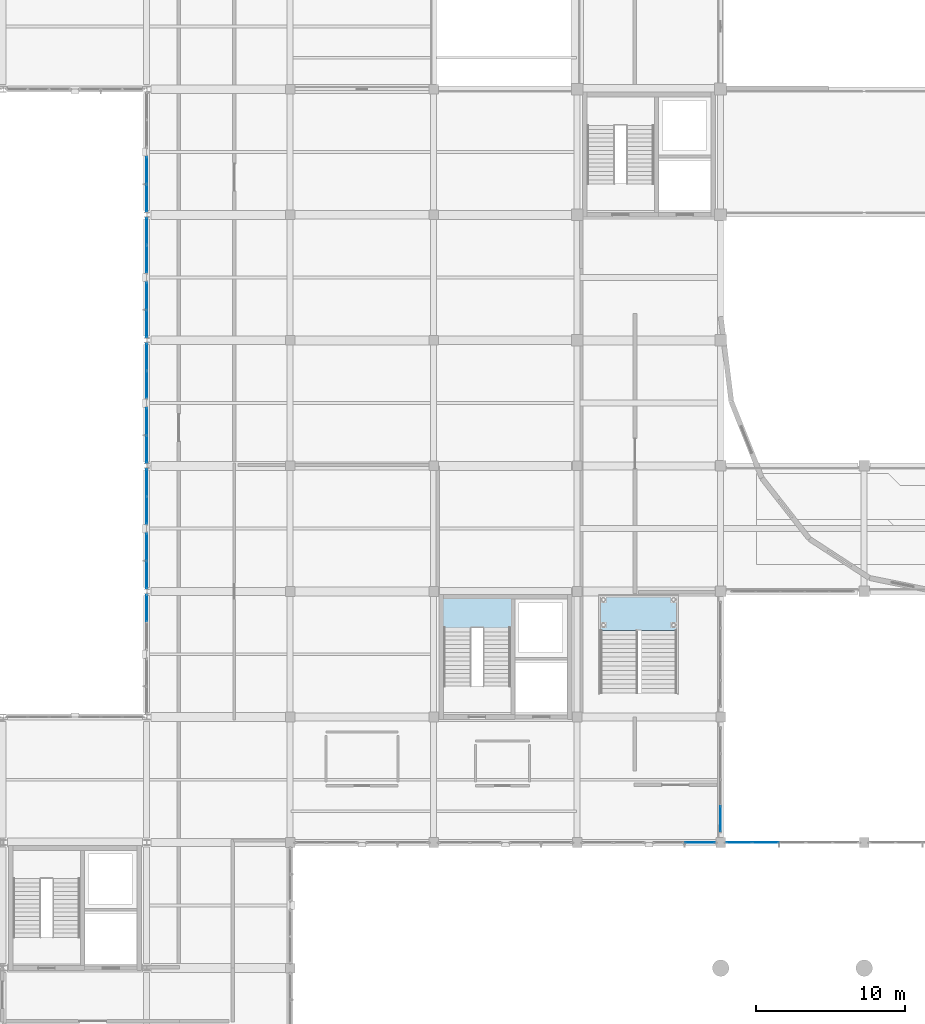
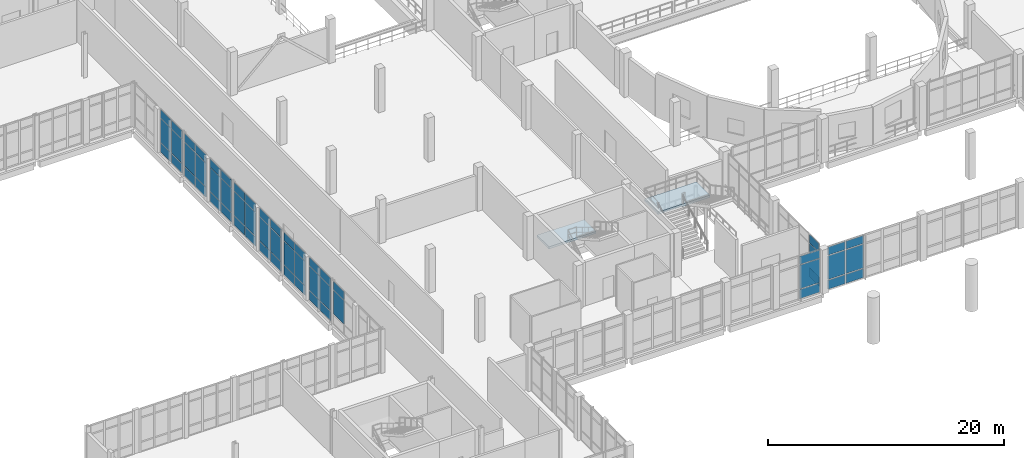
# One storey, part 77 of 102: 56 plates, 2 slabs, 13 elements without a shape of their own.
"""IFC4 building model written with IfcOpenShell, lengths in metres."""

import ifcopenshell
import ifcopenshell.guid

model = None  # the IFC model being written
_history = None  # IfcOwnerHistory: only IFC2X3 demands one
_inside = {}  # id of a spatial element -> (the spatial element, [elements in it])
_under = {}  # id of a project, library or spatial element -> (it, [spatial elements below it])
_declared = {}  # id of a project -> (the project, [libraries it declares])
_typed = {}  # id of a type object -> (the type object, [elements of that type])
_made_of = {}  # id of a material, layer set ... -> (it, [elements and type objects made of it])


def new_model(schema):
    """Start an empty IFC model of exactly this schema.

    Asked for "IFC4X3", IfcOpenShell would pick the latest addendum, in which some entities
    have other attributes; the version numbers below select the first issue.
    IFC2X3 requires an IfcOwnerHistory on every rooted entity: one is made here for all.
    """
    global model, _history
    if schema == "IFC4X3":
        model = ifcopenshell.file(schema_version=(4, 3, 0, 0))
    else:
        model = ifcopenshell.file(schema=schema)
    _inside.clear()
    _under.clear()
    _declared.clear()
    _typed.clear()
    _made_of.clear()
    _history = None
    if model.schema == "IFC2X3":
        org = make("IfcOrganization", Name="unknown")
        user = make(
            "IfcPersonAndOrganization",
            ThePerson=make("IfcPerson", FamilyName="unknown"),
            TheOrganization=org,
        )
        app = make(
            "IfcApplication",
            ApplicationDeveloper=org,
            Version="unknown",
            ApplicationFullName="unknown",
            ApplicationIdentifier="unknown",
        )
        _history = make(
            "IfcOwnerHistory",
            OwningUser=user,
            OwningApplication=app,
            ChangeAction="ADDED",
            CreationDate=0,
        )
    return model


def make(cls, **values):
    """One entity of the class cls with the attributes given. An attribute that is None is left unset."""
    return model.create_entity(
        cls, **{name: value for name, value in values.items() if value is not None}
    )


def rooted(cls, **values):
    """An entity with a GlobalId (a new one), such as an element, a storey or a relation."""
    return make(cls, GlobalId=ifcopenshell.guid.new(), OwnerHistory=_history, **values)


def si_unit(unit_type, name, prefix=None):
    """IfcSIUnit, for example si_unit("LENGTHUNIT", "METRE", prefix="MILLI")."""
    return make("IfcSIUnit", UnitType=unit_type, Prefix=prefix, Name=name)


def assignment(units):
    """IfcUnitAssignment: the units of a project."""
    return None if units is None else make("IfcUnitAssignment", Units=units)


def point(xyz):
    """IfcCartesianPoint."""
    return None if xyz is None else make("IfcCartesianPoint", Coordinates=xyz)


def direction(xyz):
    """IfcDirection."""
    return None if xyz is None else make("IfcDirection", DirectionRatios=xyz)


def frame(location, z_axis=None, x_axis=None):
    """IfcAxis2Placement3D, a coordinate frame: its origin and axes. An axis left out is left unset."""
    return make(
        "IfcAxis2Placement3D",
        Location=point(location),
        Axis=direction(z_axis),
        RefDirection=direction(x_axis),
    )


def frame_2d(location, x_axis=None):
    """IfcAxis2Placement2D, a coordinate frame in the plane: its origin and x axis."""
    return make(
        "IfcAxis2Placement2D", Location=point(location), RefDirection=direction(x_axis)
    )


def origin():
    """The frame at (0, 0, 0) with its axes left unset."""
    return frame((0.0, 0.0, 0.0))


def origin_2d():
    """The frame at (0, 0) in the plane with its x axis left unset."""
    return frame_2d((0.0, 0.0))


def place(relative_to, where):
    """IfcLocalPlacement: puts the frame where relative to a parent placement (None: the world)."""
    return make(
        "IfcLocalPlacement", PlacementRelTo=relative_to, RelativePlacement=where
    )


def context(
    kind, dimensions, precision=None, world=None, true_north=None, identifier=None
):
    """IfcGeometricRepresentationContext, for example the 3D "Model" context."""
    return make(
        "IfcGeometricRepresentationContext",
        ContextIdentifier=identifier,
        ContextType=kind,
        CoordinateSpaceDimension=dimensions,
        Precision=precision,
        WorldCoordinateSystem=world,
        TrueNorth=true_north,
    )


def subcontext(parent, identifier, kind, view, scale=None):
    """IfcGeometricRepresentationSubContext, for example "Body" below "Model"."""
    return make(
        "IfcGeometricRepresentationSubContext",
        ContextIdentifier=identifier,
        ContextType=kind,
        ParentContext=parent,
        TargetScale=scale,
        TargetView=view,
    )


def project(units=None, contexts=None):
    """IfcProject with its units and contexts."""
    return rooted(
        "IfcProject",
        Name="project",
        RepresentationContexts=contexts,
        UnitsInContext=assignment(units),
    )


def spatial(cls, under=None, at=None, **own):
    """A site, building, storey or space (cls), placed at a placement, below another one or the project."""
    s = rooted(cls, ObjectPlacement=at, **own)
    if under is not None:
        _under.setdefault(under.id(), (under, []))[1].append(s)
    return s


def polyline(points):
    """IfcPolyline through the points."""
    return make("IfcPolyline", Points=[point(p) for p in points])


def profile(cls, at=None, kind="AREA", **sizes):
    """A parametric profile (cls). Its sizes go by their IFC names, for example OverallWidth=200.0."""
    return make(cls, ProfileType=kind, Position=at, **sizes)


def rectangle(**sizes):
    """IfcRectangleProfileDef."""
    return profile("IfcRectangleProfileDef", **sizes)


def outline(outer, holes=None, kind="AREA"):
    """IfcArbitraryClosedProfileDef: a profile drawn as a closed curve; with holes, ...WithVoids."""
    if holes is None:
        return make("IfcArbitraryClosedProfileDef", ProfileType=kind, OuterCurve=outer)
    return make(
        "IfcArbitraryProfileDefWithVoids",
        ProfileType=kind,
        OuterCurve=outer,
        InnerCurves=holes,
    )


def extrude(swept, where, along, depth):
    """IfcExtrudedAreaSolid: the profile swept, set in the frame where, extruded along a direction by depth."""
    return make(
        "IfcExtrudedAreaSolid",
        SweptArea=swept,
        Position=where,
        ExtrudedDirection=direction(along),
        Depth=depth,
    )


def shape(context_of_items, identifier, shape_type, items):
    """IfcShapeRepresentation: the items that make up one representation, for example the "Body"."""
    return make(
        "IfcShapeRepresentation",
        ContextOfItems=context_of_items,
        RepresentationIdentifier=identifier,
        RepresentationType=shape_type,
        Items=items,
    )


def material(Name=None, Category=None):
    """IfcMaterial."""
    return make("IfcMaterial", Name=Name, Category=Category)


def layer(
    of_material, thickness, ventilated=None, Name=None, Category=None, Priority=None
):
    """IfcMaterialLayer: one layer of a wall or slab, of a material (None: an air gap)."""
    return make(
        "IfcMaterialLayer",
        Material=of_material,
        LayerThickness=thickness,
        IsVentilated=ventilated,
        Name=Name,
        Category=Category,
        Priority=Priority,
    )


def layer_set(layers, Name=None):
    """IfcMaterialLayerSet."""
    return make("IfcMaterialLayerSet", MaterialLayers=layers, LayerSetName=Name)


def made_of(thing, what):
    """Note that an element or type object is made of a material, layer set ...; save() writes the relation."""
    if what is not None:
        _made_of.setdefault(what.id(), (what, []))[1].append(thing)
    return thing


def type_object(cls, material=None, **own):
    """A type object (cls), such as IfcWallType, which elements share."""
    return made_of(rooted(cls, **own), material)


def element(
    cls,
    number,
    at=None,
    inside=None,
    cuts=None,
    type_object=None,
    material=None,
    context=None,
    identifier="Body",
    shape_type=None,
    held_by="IfcProductDefinitionShape",
    body=None,
    shapes=None,
    **own,
):
    """One element of the class cls, such as IfcWall. Its Tag is "e" and its number.

    at: its placement. inside: the storey or other place that contains it. cuts: it is an
    opening in that element (IfcRelVoidsElement). A single representation is given by context,
    identifier, shape_type and body (its items); several are given by shapes. held_by: the class
    of the entity that holds the representations. save() writes the other relations.
    """
    e = rooted(cls, Tag="e%d" % number, ObjectPlacement=at, **own)
    if body is not None:
        shapes = [shape(context, identifier, shape_type, body)]
    if shapes is not None:
        e.Representation = make(held_by, Representations=shapes)
    if inside is not None:
        _inside.setdefault(inside.id(), (inside, []))[1].append(e)
    if cuts is not None:
        rooted(
            "IfcRelVoidsElement", RelatingBuildingElement=cuts, RelatedOpeningElement=e
        )
    if type_object is not None:
        _typed.setdefault(type_object.id(), (type_object, []))[1].append(e)
    return made_of(e, material)


def aggregate(whole, parts):
    """IfcRelAggregates: a whole, such as a stair, and the parts it consists of."""
    return rooted("IfcRelAggregates", RelatingObject=whole, RelatedObjects=parts)


def save(model, path):
    """Write the relations noted so far, then the file.

    IfcRelAggregates (storeys below a building ...), IfcRelContainedInSpatialStructure (elements
    in a storey), IfcRelDefinesByType, IfcRelAssociatesMaterial and IfcRelDeclares: one each for
    every whole, place, type object, material and project.
    """
    for whole, parts in _under.values():
        aggregate(whole, parts)
    for where, things in _inside.values():
        rooted(
            "IfcRelContainedInSpatialStructure",
            RelatedElements=things,
            RelatingStructure=where,
        )
    for kind, things in _typed.values():
        rooted("IfcRelDefinesByType", RelatedObjects=things, RelatingType=kind)
    for what, things in _made_of.values():
        rooted("IfcRelAssociatesMaterial", RelatedObjects=things, RelatingMaterial=what)
    for by, libraries in _declared.values():
        rooted("IfcRelDeclares", RelatingContext=by, RelatedDefinitions=libraries)
    model.write(path)


model = new_model("IFC4")

# Units and contexts
model_context = context("Model", 3, precision=1e-05, world=origin(), true_north=direction((0.0, 1.0)))
body_context = subcontext(model_context, "Body", "Model", "MODEL_VIEW")
ifc_project = project(units=[si_unit("LENGTHUNIT", "METRE"), si_unit("AREAUNIT", "SQUARE_METRE"), si_unit("VOLUMEUNIT", "CUBIC_METRE"), si_unit("PLANEANGLEUNIT", "RADIAN"), si_unit("MASSUNIT", "GRAM", prefix="KILO")], contexts=[model_context])

# Site, building, storey
site_placement = place(None, origin())
site = spatial("IfcSite", under=ifc_project, at=site_placement, CompositionType="ELEMENT")
building_placement = place(site_placement, origin())
building = spatial("IfcBuilding", under=site, at=building_placement, Name="Lornevale Opera House", CompositionType="ELEMENT")
storey_placement = place(building_placement, frame((0.0, 0.0, 5.39990234375)))
storey = spatial("IfcBuildingStorey", under=building, at=storey_placement, Name="L02", CompositionType="ELEMENT", Elevation=5.39990234375)

# Curtain wall, plates
ifc_material_1 = material(Name="Anodized Oxide-Green Aluminium Framing", Category="aluminium")
ifc_layer_1 = layer(ifc_material_1, 0.175048828125)
ifc_layer_set_1 = layer_set([ifc_layer_1], Name="Anodized Oxide-Green Aluminium Framing")
curtain_wall_type_1 = type_object("IfcCurtainWallType", Name="Chamber Cloister Curtain Wall M1700", PredefinedType="NOTDEFINED", material=ifc_layer_set_1)
curtain_wall_1_placement = place(storey_placement, origin())
curtain_wall_1 = element("IfcCurtainWall", 1, at=curtain_wall_1_placement, inside=storey, type_object=curtain_wall_type_1, Name="Chamber Cloister Curtain Wall M1700 CW-052", PredefinedType="NOTDEFINED")
ifc_material_2 = material(Name="Triple Low-E Insulated Glazing", Category="glass")
ifc_layer_2 = layer(ifc_material_2, 0.0419921875)
ifc_layer_set_2 = layer_set([ifc_layer_2], Name="Triple Low-E Insulated Glazing")
plate_type_1 = type_object("IfcPlateType", Name="Ceramic Fritted Bird-Safe Panel 42", PredefinedType="CURTAIN_PANEL", material=ifc_layer_set_2)
plate_1_placement = place(storey_placement, frame((28.800048828125, 32.485595703125, 1.08251953125), z_axis=(0.0, 0.0, 1.0), x_axis=(0.0, 1.0, 0.0)))
plate_1 = element("IfcPlate", 2, at=plate_1_placement, type_object=plate_type_1, Name="Ceramic Fritted Bird-Safe Panel 42 CW1075", PredefinedType="CURTAIN_PANEL", context=body_context, shape_type="SweptSolid", body=[
    extrude(rectangle(XDim=1.78369140625, YDim=0.0419921875, at=origin_2d()), origin(), (0.0, 0.0, 1.0), 2.455078125),
])
plate_2_placement = place(storey_placement, frame((28.800048828125, 32.485595703125, 3.6025390625), z_axis=(0.0, 0.0, 1.0), x_axis=(0.0, 1.0, 0.0)))
plate_2 = element("IfcPlate", 3, at=plate_2_placement, type_object=plate_type_1, Name="Ceramic Fritted Bird-Safe Panel 42 CW1076", PredefinedType="CURTAIN_PANEL", context=body_context, shape_type="SweptSolid", body=[
    extrude(rectangle(XDim=1.78369140625, YDim=0.0419921875, at=origin_2d()), origin(), (0.0, 0.0, 1.0), 0.8525390625),
])
aggregate(curtain_wall_1, [plate_1, plate_2])

curtain_wall_2_placement = place(storey_placement, origin())
curtain_wall_2 = element("IfcCurtainWall", 4, at=curtain_wall_2_placement, inside=storey, type_object=curtain_wall_type_1, Name="Chamber Cloister Curtain Wall M1700 CW-053", PredefinedType="NOTDEFINED")
plate_3_placement = place(storey_placement, frame((28.800048828125, 34.71435546875, 0.0654296875), z_axis=(0.0, 0.0, 1.0), x_axis=(0.0, 1.0, 0.0)))
plate_3 = element("IfcPlate", 5, at=plate_3_placement, type_object=plate_type_1, Name="Ceramic Fritted Bird-Safe Panel 42 CW1084", PredefinedType="CURTAIN_PANEL", context=body_context, shape_type="SweptSolid", body=[
    extrude(rectangle(XDim=1.78369140625, YDim=0.0419921875, at=origin_2d()), origin(), (0.0, 0.0, 1.0), 0.952392578125),
])
plate_4_placement = place(storey_placement, frame((28.800048828125, 34.71435546875, 1.08251953125), z_axis=(0.0, 0.0, 1.0), x_axis=(0.0, 1.0, 0.0)))
plate_4 = element("IfcPlate", 6, at=plate_4_placement, type_object=plate_type_1, Name="Ceramic Fritted Bird-Safe Panel 42 CW1085", PredefinedType="CURTAIN_PANEL", context=body_context, shape_type="SweptSolid", body=[
    extrude(rectangle(XDim=1.78369140625, YDim=0.0419921875, at=origin_2d()), origin(), (0.0, 0.0, 1.0), 2.455078125),
])
plate_5_placement = place(storey_placement, frame((28.800048828125, 34.71435546875, 3.6025390625), z_axis=(0.0, 0.0, 1.0), x_axis=(0.0, 1.0, 0.0)))
plate_5 = element("IfcPlate", 7, at=plate_5_placement, type_object=plate_type_1, Name="Ceramic Fritted Bird-Safe Panel 42 CW1086", PredefinedType="CURTAIN_PANEL", context=body_context, shape_type="SweptSolid", body=[
    extrude(rectangle(XDim=1.78369140625, YDim=0.0419921875, at=origin_2d()), origin(), (0.0, 0.0, 1.0), 0.8525390625),
])
plate_6_placement = place(storey_placement, frame((28.800048828125, 36.56298828125, 0.0654296875), z_axis=(0.0, 0.0, 1.0), x_axis=(0.0, 1.0, 0.0)))
plate_6 = element("IfcPlate", 8, at=plate_6_placement, type_object=plate_type_1, Name="Ceramic Fritted Bird-Safe Panel 42 CW1091", PredefinedType="CURTAIN_PANEL", context=body_context, shape_type="SweptSolid", body=[
    extrude(rectangle(XDim=1.78369140625, YDim=0.0419921875, at=origin_2d()), origin(), (0.0, 0.0, 1.0), 0.952392578125),
])
plate_7_placement = place(storey_placement, frame((28.800048828125, 36.56298828125, 1.08251953125), z_axis=(0.0, 0.0, 1.0), x_axis=(0.0, 1.0, 0.0)))
plate_7 = element("IfcPlate", 9, at=plate_7_placement, type_object=plate_type_1, Name="Ceramic Fritted Bird-Safe Panel 42 CW1092", PredefinedType="CURTAIN_PANEL", context=body_context, shape_type="SweptSolid", body=[
    extrude(rectangle(XDim=1.78369140625, YDim=0.0419921875, at=origin_2d()), origin(), (0.0, 0.0, 1.0), 2.455078125),
])
plate_8_placement = place(storey_placement, frame((28.800048828125, 36.56298828125, 3.6025390625), z_axis=(0.0, 0.0, 1.0), x_axis=(0.0, 1.0, 0.0)))
plate_8 = element("IfcPlate", 10, at=plate_8_placement, type_object=plate_type_1, Name="Ceramic Fritted Bird-Safe Panel 42 CW1093", PredefinedType="CURTAIN_PANEL", context=body_context, shape_type="SweptSolid", body=[
    extrude(rectangle(XDim=1.78369140625, YDim=0.0419921875, at=origin_2d()), origin(), (0.0, 0.0, 1.0), 0.8525390625),
])
aggregate(curtain_wall_2, [plate_3, plate_4, plate_5, plate_6, plate_7, plate_8])

curtain_wall_3_placement = place(storey_placement, origin())
curtain_wall_3 = element("IfcCurtainWall", 11, at=curtain_wall_3_placement, inside=storey, type_object=curtain_wall_type_1, Name="Chamber Cloister Curtain Wall M1700 CW-054", PredefinedType="NOTDEFINED")
plate_9_placement = place(storey_placement, frame((28.800048828125, 39.036865234375, 0.0654296875), z_axis=(0.0, 0.0, 1.0), x_axis=(0.0, 1.0, 0.0)))
plate_9 = element("IfcPlate", 12, at=plate_9_placement, type_object=plate_type_1, Name="Ceramic Fritted Bird-Safe Panel 42 CW1101", PredefinedType="CURTAIN_PANEL", context=body_context, shape_type="SweptSolid", body=[
    extrude(rectangle(XDim=1.78369140625, YDim=0.0419921875, at=origin_2d()), origin(), (0.0, 0.0, 1.0), 0.952392578125),
])
plate_10_placement = place(storey_placement, frame((28.800048828125, 39.036865234375, 1.08251953125), z_axis=(0.0, 0.0, 1.0), x_axis=(0.0, 1.0, 0.0)))
plate_10 = element("IfcPlate", 13, at=plate_10_placement, type_object=plate_type_1, Name="Ceramic Fritted Bird-Safe Panel 42 CW1102", PredefinedType="CURTAIN_PANEL", context=body_context, shape_type="SweptSolid", body=[
    extrude(rectangle(XDim=1.78369140625, YDim=0.0419921875, at=origin_2d()), origin(), (0.0, 0.0, 1.0), 2.455078125),
])
plate_11_placement = place(storey_placement, frame((28.800048828125, 39.036865234375, 3.6025390625), z_axis=(0.0, 0.0, 1.0), x_axis=(0.0, 1.0, 0.0)))
plate_11 = element("IfcPlate", 14, at=plate_11_placement, type_object=plate_type_1, Name="Ceramic Fritted Bird-Safe Panel 42 CW1103", PredefinedType="CURTAIN_PANEL", context=body_context, shape_type="SweptSolid", body=[
    extrude(rectangle(XDim=1.78369140625, YDim=0.0419921875, at=origin_2d()), origin(), (0.0, 0.0, 1.0), 0.8525390625),
])
plate_12_placement = place(storey_placement, frame((28.800048828125, 40.885498046875, 0.0654296875), z_axis=(0.0, 0.0, 1.0), x_axis=(0.0, 1.0, 0.0)))
plate_12 = element("IfcPlate", 15, at=plate_12_placement, type_object=plate_type_1, Name="Ceramic Fritted Bird-Safe Panel 42 CW1108", PredefinedType="CURTAIN_PANEL", context=body_context, shape_type="SweptSolid", body=[
    extrude(rectangle(XDim=1.78369140625, YDim=0.0419921875, at=origin_2d()), origin(), (0.0, 0.0, 1.0), 0.952392578125),
])
plate_13_placement = place(storey_placement, frame((28.800048828125, 40.885498046875, 1.08251953125), z_axis=(0.0, 0.0, 1.0), x_axis=(0.0, 1.0, 0.0)))
plate_13 = element("IfcPlate", 16, at=plate_13_placement, type_object=plate_type_1, Name="Ceramic Fritted Bird-Safe Panel 42 CW1109", PredefinedType="CURTAIN_PANEL", context=body_context, shape_type="SweptSolid", body=[
    extrude(rectangle(XDim=1.78369140625, YDim=0.0419921875, at=origin_2d()), origin(), (0.0, 0.0, 1.0), 2.455078125),
])
plate_14_placement = place(storey_placement, frame((28.800048828125, 40.885498046875, 3.6025390625), z_axis=(0.0, 0.0, 1.0), x_axis=(0.0, 1.0, 0.0)))
plate_14 = element("IfcPlate", 17, at=plate_14_placement, type_object=plate_type_1, Name="Ceramic Fritted Bird-Safe Panel 42 CW1110", PredefinedType="CURTAIN_PANEL", context=body_context, shape_type="SweptSolid", body=[
    extrude(rectangle(XDim=1.78369140625, YDim=0.0419921875, at=origin_2d()), origin(), (0.0, 0.0, 1.0), 0.8525390625),
])
aggregate(curtain_wall_3, [plate_9, plate_10, plate_11, plate_12, plate_13, plate_14])

curtain_wall_4_placement = place(storey_placement, origin())
curtain_wall_4 = element("IfcCurtainWall", 18, at=curtain_wall_4_placement, inside=storey, type_object=curtain_wall_type_1, Name="Chamber Cloister Curtain Wall M1700 CW-055", PredefinedType="NOTDEFINED")
plate_15_placement = place(storey_placement, frame((28.800048828125, 43.114501953125, 0.0654296875), z_axis=(0.0, 0.0, 1.0), x_axis=(0.0, 1.0, 0.0)))
plate_15 = element("IfcPlate", 19, at=plate_15_placement, type_object=plate_type_1, Name="Ceramic Fritted Bird-Safe Panel 42 CW1118", PredefinedType="CURTAIN_PANEL", context=body_context, shape_type="SweptSolid", body=[
    extrude(rectangle(XDim=1.78369140625, YDim=0.0419921875, at=origin_2d()), origin(), (0.0, 0.0, 1.0), 0.952392578125),
])
plate_16_placement = place(storey_placement, frame((28.800048828125, 43.114501953125, 1.08251953125), z_axis=(0.0, 0.0, 1.0), x_axis=(0.0, 1.0, 0.0)))
plate_16 = element("IfcPlate", 20, at=plate_16_placement, type_object=plate_type_1, Name="Ceramic Fritted Bird-Safe Panel 42 CW1119", PredefinedType="CURTAIN_PANEL", context=body_context, shape_type="SweptSolid", body=[
    extrude(rectangle(XDim=1.78369140625, YDim=0.0419921875, at=origin_2d()), origin(), (0.0, 0.0, 1.0), 2.455078125),
])
plate_17_placement = place(storey_placement, frame((28.800048828125, 43.114501953125, 3.6025390625), z_axis=(0.0, 0.0, 1.0), x_axis=(0.0, 1.0, 0.0)))
plate_17 = element("IfcPlate", 21, at=plate_17_placement, type_object=plate_type_1, Name="Ceramic Fritted Bird-Safe Panel 42 CW1120", PredefinedType="CURTAIN_PANEL", context=body_context, shape_type="SweptSolid", body=[
    extrude(rectangle(XDim=1.78369140625, YDim=0.0419921875, at=origin_2d()), origin(), (0.0, 0.0, 1.0), 0.8525390625),
])
plate_18_placement = place(storey_placement, frame((28.800048828125, 44.963134765625, 0.0654296875), z_axis=(0.0, 0.0, 1.0), x_axis=(0.0, 1.0, 0.0)))
plate_18 = element("IfcPlate", 22, at=plate_18_placement, type_object=plate_type_1, Name="Ceramic Fritted Bird-Safe Panel 42 CW1125", PredefinedType="CURTAIN_PANEL", context=body_context, shape_type="SweptSolid", body=[
    extrude(rectangle(XDim=1.78369140625, YDim=0.0419921875, at=origin_2d()), origin(), (0.0, 0.0, 1.0), 0.952392578125),
])
plate_19_placement = place(storey_placement, frame((28.800048828125, 44.963134765625, 1.08251953125), z_axis=(0.0, 0.0, 1.0), x_axis=(0.0, 1.0, 0.0)))
plate_19 = element("IfcPlate", 23, at=plate_19_placement, type_object=plate_type_1, Name="Ceramic Fritted Bird-Safe Panel 42 CW1126", PredefinedType="CURTAIN_PANEL", context=body_context, shape_type="SweptSolid", body=[
    extrude(rectangle(XDim=1.78369140625, YDim=0.0419921875, at=origin_2d()), origin(), (0.0, 0.0, 1.0), 2.455078125),
])
plate_20_placement = place(storey_placement, frame((28.800048828125, 44.963134765625, 3.6025390625), z_axis=(0.0, 0.0, 1.0), x_axis=(0.0, 1.0, 0.0)))
plate_20 = element("IfcPlate", 24, at=plate_20_placement, type_object=plate_type_1, Name="Ceramic Fritted Bird-Safe Panel 42 CW1127", PredefinedType="CURTAIN_PANEL", context=body_context, shape_type="SweptSolid", body=[
    extrude(rectangle(XDim=1.78369140625, YDim=0.0419921875, at=origin_2d()), origin(), (0.0, 0.0, 1.0), 0.8525390625),
])
aggregate(curtain_wall_4, [plate_15, plate_16, plate_17, plate_18, plate_19, plate_20])

curtain_wall_5_placement = place(storey_placement, origin())
curtain_wall_5 = element("IfcCurtainWall", 25, at=curtain_wall_5_placement, inside=storey, type_object=curtain_wall_type_1, Name="Chamber Cloister Curtain Wall M1700 CW-056", PredefinedType="NOTDEFINED")
plate_21_placement = place(storey_placement, frame((28.800048828125, 47.43701171875, 0.0654296875), z_axis=(0.0, 0.0, 1.0), x_axis=(0.0, 1.0, 0.0)))
plate_21 = element("IfcPlate", 26, at=plate_21_placement, type_object=plate_type_1, Name="Ceramic Fritted Bird-Safe Panel 42 CW1135", PredefinedType="CURTAIN_PANEL", context=body_context, shape_type="SweptSolid", body=[
    extrude(rectangle(XDim=1.78369140625, YDim=0.0419921875, at=origin_2d()), origin(), (0.0, 0.0, 1.0), 0.952392578125),
])
plate_22_placement = place(storey_placement, frame((28.800048828125, 47.43701171875, 1.08251953125), z_axis=(0.0, 0.0, 1.0), x_axis=(0.0, 1.0, 0.0)))
plate_22 = element("IfcPlate", 27, at=plate_22_placement, type_object=plate_type_1, Name="Ceramic Fritted Bird-Safe Panel 42 CW1136", PredefinedType="CURTAIN_PANEL", context=body_context, shape_type="SweptSolid", body=[
    extrude(rectangle(XDim=1.78369140625, YDim=0.0419921875, at=origin_2d()), origin(), (0.0, 0.0, 1.0), 2.455078125),
])
plate_23_placement = place(storey_placement, frame((28.800048828125, 47.43701171875, 3.6025390625), z_axis=(0.0, 0.0, 1.0), x_axis=(0.0, 1.0, 0.0)))
plate_23 = element("IfcPlate", 28, at=plate_23_placement, type_object=plate_type_1, Name="Ceramic Fritted Bird-Safe Panel 42 CW1137", PredefinedType="CURTAIN_PANEL", context=body_context, shape_type="SweptSolid", body=[
    extrude(rectangle(XDim=1.78369140625, YDim=0.0419921875, at=origin_2d()), origin(), (0.0, 0.0, 1.0), 0.8525390625),
])
plate_24_placement = place(storey_placement, frame((28.800048828125, 49.28564453125, 0.0654296875), z_axis=(0.0, 0.0, 1.0), x_axis=(0.0, 1.0, 0.0)))
plate_24 = element("IfcPlate", 29, at=plate_24_placement, type_object=plate_type_1, Name="Ceramic Fritted Bird-Safe Panel 42 CW1142", PredefinedType="CURTAIN_PANEL", context=body_context, shape_type="SweptSolid", body=[
    extrude(rectangle(XDim=1.78369140625, YDim=0.0419921875, at=origin_2d()), origin(), (0.0, 0.0, 1.0), 0.952392578125),
])
plate_25_placement = place(storey_placement, frame((28.800048828125, 49.28564453125, 1.08251953125), z_axis=(0.0, 0.0, 1.0), x_axis=(0.0, 1.0, 0.0)))
plate_25 = element("IfcPlate", 30, at=plate_25_placement, type_object=plate_type_1, Name="Ceramic Fritted Bird-Safe Panel 42 CW1143", PredefinedType="CURTAIN_PANEL", context=body_context, shape_type="SweptSolid", body=[
    extrude(rectangle(XDim=1.78369140625, YDim=0.0419921875, at=origin_2d()), origin(), (0.0, 0.0, 1.0), 2.455078125),
])
plate_26_placement = place(storey_placement, frame((28.800048828125, 49.28564453125, 3.6025390625), z_axis=(0.0, 0.0, 1.0), x_axis=(0.0, 1.0, 0.0)))
plate_26 = element("IfcPlate", 31, at=plate_26_placement, type_object=plate_type_1, Name="Ceramic Fritted Bird-Safe Panel 42 CW1144", PredefinedType="CURTAIN_PANEL", context=body_context, shape_type="SweptSolid", body=[
    extrude(rectangle(XDim=1.78369140625, YDim=0.0419921875, at=origin_2d()), origin(), (0.0, 0.0, 1.0), 0.8525390625),
])
aggregate(curtain_wall_5, [plate_21, plate_22, plate_23, plate_24, plate_25, plate_26])

curtain_wall_6_placement = place(storey_placement, origin())
curtain_wall_6 = element("IfcCurtainWall", 32, at=curtain_wall_6_placement, inside=storey, type_object=curtain_wall_type_1, Name="Chamber Cloister Curtain Wall M1700 CW-057", PredefinedType="NOTDEFINED")
plate_27_placement = place(storey_placement, frame((28.800048828125, 51.514404296875, 0.0654296875), z_axis=(0.0, 0.0, 1.0), x_axis=(0.0, 1.0, 0.0)))
plate_27 = element("IfcPlate", 33, at=plate_27_placement, type_object=plate_type_1, Name="Ceramic Fritted Bird-Safe Panel 42 CW1152", PredefinedType="CURTAIN_PANEL", context=body_context, shape_type="SweptSolid", body=[
    extrude(rectangle(XDim=1.78369140625, YDim=0.0419921875, at=origin_2d()), origin(), (0.0, 0.0, 1.0), 0.952392578125),
])
plate_28_placement = place(storey_placement, frame((28.800048828125, 51.514404296875, 1.08251953125), z_axis=(0.0, 0.0, 1.0), x_axis=(0.0, 1.0, 0.0)))
plate_28 = element("IfcPlate", 34, at=plate_28_placement, type_object=plate_type_1, Name="Ceramic Fritted Bird-Safe Panel 42 CW1153", PredefinedType="CURTAIN_PANEL", context=body_context, shape_type="SweptSolid", body=[
    extrude(rectangle(XDim=1.78369140625, YDim=0.0419921875, at=origin_2d()), origin(), (0.0, 0.0, 1.0), 2.455078125),
])
plate_29_placement = place(storey_placement, frame((28.800048828125, 51.514404296875, 3.6025390625), z_axis=(0.0, 0.0, 1.0), x_axis=(0.0, 1.0, 0.0)))
plate_29 = element("IfcPlate", 35, at=plate_29_placement, type_object=plate_type_1, Name="Ceramic Fritted Bird-Safe Panel 42 CW1154", PredefinedType="CURTAIN_PANEL", context=body_context, shape_type="SweptSolid", body=[
    extrude(rectangle(XDim=1.78369140625, YDim=0.0419921875, at=origin_2d()), origin(), (0.0, 0.0, 1.0), 0.8525390625),
])
plate_30_placement = place(storey_placement, frame((28.800048828125, 53.363037109375, 0.0654296875), z_axis=(0.0, 0.0, 1.0), x_axis=(0.0, 1.0, 0.0)))
plate_30 = element("IfcPlate", 36, at=plate_30_placement, type_object=plate_type_1, Name="Ceramic Fritted Bird-Safe Panel 42 CW1159", PredefinedType="CURTAIN_PANEL", context=body_context, shape_type="SweptSolid", body=[
    extrude(rectangle(XDim=1.78369140625, YDim=0.0419921875, at=origin_2d()), origin(), (0.0, 0.0, 1.0), 0.952392578125),
])
plate_31_placement = place(storey_placement, frame((28.800048828125, 53.363037109375, 1.08251953125), z_axis=(0.0, 0.0, 1.0), x_axis=(0.0, 1.0, 0.0)))
plate_31 = element("IfcPlate", 37, at=plate_31_placement, type_object=plate_type_1, Name="Ceramic Fritted Bird-Safe Panel 42 CW1160", PredefinedType="CURTAIN_PANEL", context=body_context, shape_type="SweptSolid", body=[
    extrude(rectangle(XDim=1.78369140625, YDim=0.0419921875, at=origin_2d()), origin(), (0.0, 0.0, 1.0), 2.455078125),
])
plate_32_placement = place(storey_placement, frame((28.800048828125, 53.363037109375, 3.6025390625), z_axis=(0.0, 0.0, 1.0), x_axis=(0.0, 1.0, 0.0)))
plate_32 = element("IfcPlate", 38, at=plate_32_placement, type_object=plate_type_1, Name="Ceramic Fritted Bird-Safe Panel 42 CW1161", PredefinedType="CURTAIN_PANEL", context=body_context, shape_type="SweptSolid", body=[
    extrude(rectangle(XDim=1.78369140625, YDim=0.0419921875, at=origin_2d()), origin(), (0.0, 0.0, 1.0), 0.8525390625),
])
aggregate(curtain_wall_6, [plate_27, plate_28, plate_29, plate_30, plate_31, plate_32])

curtain_wall_7_placement = place(storey_placement, origin())
curtain_wall_7 = element("IfcCurtainWall", 39, at=curtain_wall_7_placement, inside=storey, type_object=curtain_wall_type_1, Name="Chamber Cloister Curtain Wall M1700 CW-058", PredefinedType="NOTDEFINED")
plate_33_placement = place(storey_placement, frame((28.800048828125, 55.8369140625, 0.0654296875), z_axis=(0.0, 0.0, 1.0), x_axis=(0.0, 1.0, 0.0)))
plate_33 = element("IfcPlate", 40, at=plate_33_placement, type_object=plate_type_1, Name="Ceramic Fritted Bird-Safe Panel 42 CW1169", PredefinedType="CURTAIN_PANEL", context=body_context, shape_type="SweptSolid", body=[
    extrude(rectangle(XDim=1.78369140625, YDim=0.0419921875, at=origin_2d()), origin(), (0.0, 0.0, 1.0), 0.952392578125),
])
plate_34_placement = place(storey_placement, frame((28.800048828125, 55.8369140625, 1.08251953125), z_axis=(0.0, 0.0, 1.0), x_axis=(0.0, 1.0, 0.0)))
plate_34 = element("IfcPlate", 41, at=plate_34_placement, type_object=plate_type_1, Name="Ceramic Fritted Bird-Safe Panel 42 CW1170", PredefinedType="CURTAIN_PANEL", context=body_context, shape_type="SweptSolid", body=[
    extrude(rectangle(XDim=1.78369140625, YDim=0.0419921875, at=origin_2d()), origin(), (0.0, 0.0, 1.0), 2.455078125),
])
plate_35_placement = place(storey_placement, frame((28.800048828125, 55.8369140625, 3.6025390625), z_axis=(0.0, 0.0, 1.0), x_axis=(0.0, 1.0, 0.0)))
plate_35 = element("IfcPlate", 42, at=plate_35_placement, type_object=plate_type_1, Name="Ceramic Fritted Bird-Safe Panel 42 CW1171", PredefinedType="CURTAIN_PANEL", context=body_context, shape_type="SweptSolid", body=[
    extrude(rectangle(XDim=1.78369140625, YDim=0.0419921875, at=origin_2d()), origin(), (0.0, 0.0, 1.0), 0.8525390625),
])
plate_36_placement = place(storey_placement, frame((28.800048828125, 57.685546875, 0.0654296875), z_axis=(0.0, 0.0, 1.0), x_axis=(0.0, 1.0, 0.0)))
plate_36 = element("IfcPlate", 43, at=plate_36_placement, type_object=plate_type_1, Name="Ceramic Fritted Bird-Safe Panel 42 CW1176", PredefinedType="CURTAIN_PANEL", context=body_context, shape_type="SweptSolid", body=[
    extrude(rectangle(XDim=1.78369140625, YDim=0.0419921875, at=origin_2d()), origin(), (0.0, 0.0, 1.0), 0.952392578125),
])
plate_37_placement = place(storey_placement, frame((28.800048828125, 57.685546875, 1.08251953125), z_axis=(0.0, 0.0, 1.0), x_axis=(0.0, 1.0, 0.0)))
plate_37 = element("IfcPlate", 44, at=plate_37_placement, type_object=plate_type_1, Name="Ceramic Fritted Bird-Safe Panel 42 CW1177", PredefinedType="CURTAIN_PANEL", context=body_context, shape_type="SweptSolid", body=[
    extrude(rectangle(XDim=1.78369140625, YDim=0.0419921875, at=origin_2d()), origin(), (0.0, 0.0, 1.0), 2.455078125),
])
plate_38_placement = place(storey_placement, frame((28.800048828125, 57.685546875, 3.6025390625), z_axis=(0.0, 0.0, 1.0), x_axis=(0.0, 1.0, 0.0)))
plate_38 = element("IfcPlate", 45, at=plate_38_placement, type_object=plate_type_1, Name="Ceramic Fritted Bird-Safe Panel 42 CW1178", PredefinedType="CURTAIN_PANEL", context=body_context, shape_type="SweptSolid", body=[
    extrude(rectangle(XDim=1.78369140625, YDim=0.0419921875, at=origin_2d()), origin(), (0.0, 0.0, 1.0), 0.8525390625),
])
aggregate(curtain_wall_7, [plate_33, plate_34, plate_35, plate_36, plate_37, plate_38])

curtain_wall_8_placement = place(storey_placement, origin())
curtain_wall_8 = element("IfcCurtainWall", 46, at=curtain_wall_8_placement, inside=storey, type_object=curtain_wall_type_1, Name="Chamber Cloister Curtain Wall M1700 CW-059", PredefinedType="NOTDEFINED")
plate_39_placement = place(storey_placement, frame((28.800048828125, 59.914306640625, 0.0654296875), z_axis=(0.0, 0.0, 1.0), x_axis=(0.0, 1.0, 0.0)))
plate_39 = element("IfcPlate", 47, at=plate_39_placement, type_object=plate_type_1, Name="Ceramic Fritted Bird-Safe Panel 42 CW1186", PredefinedType="CURTAIN_PANEL", context=body_context, shape_type="SweptSolid", body=[
    extrude(rectangle(XDim=1.78369140625, YDim=0.0419921875, at=origin_2d()), origin(), (0.0, 0.0, 1.0), 0.952392578125),
])
plate_40_placement = place(storey_placement, frame((28.800048828125, 59.914306640625, 1.08251953125), z_axis=(0.0, 0.0, 1.0), x_axis=(0.0, 1.0, 0.0)))
plate_40 = element("IfcPlate", 48, at=plate_40_placement, type_object=plate_type_1, Name="Ceramic Fritted Bird-Safe Panel 42 CW1187", PredefinedType="CURTAIN_PANEL", context=body_context, shape_type="SweptSolid", body=[
    extrude(rectangle(XDim=1.78369140625, YDim=0.0419921875, at=origin_2d()), origin(), (0.0, 0.0, 1.0), 2.455078125),
])
plate_41_placement = place(storey_placement, frame((28.800048828125, 59.914306640625, 3.6025390625), z_axis=(0.0, 0.0, 1.0), x_axis=(0.0, 1.0, 0.0)))
plate_41 = element("IfcPlate", 49, at=plate_41_placement, type_object=plate_type_1, Name="Ceramic Fritted Bird-Safe Panel 42 CW1188", PredefinedType="CURTAIN_PANEL", context=body_context, shape_type="SweptSolid", body=[
    extrude(rectangle(XDim=1.78369140625, YDim=0.0419921875, at=origin_2d()), origin(), (0.0, 0.0, 1.0), 0.8525390625),
])
plate_42_placement = place(storey_placement, frame((28.800048828125, 61.76318359375, 0.0654296875), z_axis=(0.0, 0.0, 1.0), x_axis=(0.0, 1.0, 0.0)))
plate_42 = element("IfcPlate", 50, at=plate_42_placement, type_object=plate_type_1, Name="Ceramic Fritted Bird-Safe Panel 42 CW1193", PredefinedType="CURTAIN_PANEL", context=body_context, shape_type="SweptSolid", body=[
    extrude(rectangle(XDim=1.78369140625, YDim=0.0419921875, at=origin_2d()), origin(), (0.0, 0.0, 1.0), 0.952392578125),
])
plate_43_placement = place(storey_placement, frame((28.800048828125, 61.76318359375, 1.08251953125), z_axis=(0.0, 0.0, 1.0), x_axis=(0.0, 1.0, 0.0)))
plate_43 = element("IfcPlate", 51, at=plate_43_placement, type_object=plate_type_1, Name="Ceramic Fritted Bird-Safe Panel 42 CW1194", PredefinedType="CURTAIN_PANEL", context=body_context, shape_type="SweptSolid", body=[
    extrude(rectangle(XDim=1.78369140625, YDim=0.0419921875, at=origin_2d()), origin(), (0.0, 0.0, 1.0), 2.455078125),
])
plate_44_placement = place(storey_placement, frame((28.800048828125, 61.76318359375, 3.6025390625), z_axis=(0.0, 0.0, 1.0), x_axis=(0.0, 1.0, 0.0)))
plate_44 = element("IfcPlate", 52, at=plate_44_placement, type_object=plate_type_1, Name="Ceramic Fritted Bird-Safe Panel 42 CW1195", PredefinedType="CURTAIN_PANEL", context=body_context, shape_type="SweptSolid", body=[
    extrude(rectangle(XDim=1.78369140625, YDim=0.0419921875, at=origin_2d()), origin(), (0.0, 0.0, 1.0), 0.8525390625),
])
aggregate(curtain_wall_8, [plate_39, plate_40, plate_41, plate_42, plate_43, plate_44])

ifc_layer_3 = layer(ifc_material_1, 0.14990234375)
ifc_layer_set_3 = layer_set([ifc_layer_3], Name="Anodized Oxide-Green Aluminium Framing")
curtain_wall_type_2 = type_object("IfcCurtainWallType", Name="North-Light Clerestory Curtain Wall M1600", PredefinedType="NOTDEFINED", material=ifc_layer_set_3)
curtain_wall_9_placement = place(storey_placement, origin())
curtain_wall_9 = element("IfcCurtainWall", 53, at=curtain_wall_9_placement, inside=storey, type_object=curtain_wall_type_2, Name="North-Light Clerestory Curtain Wall M1600 CW-171", PredefinedType="NOTDEFINED")
ifc_layer_4 = layer(ifc_material_2, 0.033935546875)
ifc_layer_set_4 = layer_set([ifc_layer_4], Name="Triple Low-E Insulated Glazing")
plate_type_2 = type_object("IfcPlateType", Name="Clerestory Diffusing Glazing Panel 34", PredefinedType="CURTAIN_PANEL", material=ifc_layer_set_4)
plate_45_placement = place(storey_placement, frame((67.199951171875, 18.389892578125, 0.06005859375), z_axis=(0.0, 0.0, 1.0), x_axis=(0.0, 1.0, 0.0)))
plate_45 = element("IfcPlate", 54, at=plate_45_placement, type_object=plate_type_2, Name="Clerestory Diffusing Glazing Panel 34 CW3468", PredefinedType="CURTAIN_PANEL", context=body_context, shape_type="SweptSolid", body=[
    extrude(rectangle(XDim=1.659912109375, YDim=0.033935546875, at=origin_2d()), origin(), (0.0, 0.0, 1.0), 0.9599609375),
])
plate_46_placement = place(storey_placement, frame((67.199951171875, 18.389892578125, 1.080078125), z_axis=(0.0, 0.0, 1.0), x_axis=(0.0, 1.0, 0.0)))
plate_46 = element("IfcPlate", 55, at=plate_46_placement, type_object=plate_type_2, Name="Clerestory Diffusing Glazing Panel 34 CW3469", PredefinedType="CURTAIN_PANEL", context=body_context, shape_type="SweptSolid", body=[
    extrude(rectangle(XDim=1.659912109375, YDim=0.033935546875, at=origin_2d()), origin(), (0.0, 0.0, 1.0), 2.43994140625),
])
plate_47_placement = place(storey_placement, frame((67.199951171875, 18.389892578125, 3.580078125), z_axis=(0.0, 0.0, 1.0), x_axis=(0.0, 1.0, 0.0)))
plate_47 = element("IfcPlate", 56, at=plate_47_placement, type_object=plate_type_2, Name="Clerestory Diffusing Glazing Panel 34 CW3470", PredefinedType="CURTAIN_PANEL", context=body_context, shape_type="SweptSolid", body=[
    extrude(rectangle(XDim=1.659912109375, YDim=0.033935546875, at=origin_2d()), origin(), (0.0, 0.0, 1.0), 0.860107421875),
])
aggregate(curtain_wall_9, [plate_45, plate_46, plate_47])

# Stair, slab
ifc_material_3 = material(Name="Concrete 35 MPa (CSA A23.1 N)", Category="concrete")
ifc_layer_5 = layer(ifc_material_3, 4.800048828125)
ifc_layer_set_5 = layer_set([ifc_layer_5], Name="Concrete 35 MPa (CSA A23.1 N)")
stair_type_1 = type_object("IfcStairType", Name="Grand Foyer Feature Stair 4800-W2200", PredefinedType="TWO_STRAIGHT_RUN_STAIR", material=ifc_layer_set_5)
stair_1_placement = place(storey_placement, origin())
stair_1 = element("IfcStair", 57, at=stair_1_placement, inside=storey, type_object=stair_type_1, Name="Winter-Garden Grand Stair ST-41", PredefinedType="TWO_STRAIGHT_RUN_STAIR")
ifc_material_4 = material(Name="Concrete 40 MPa (CSA A23.1 C-1)", Category="concrete")
ifc_layer_6 = layer(ifc_material_4, 0.25)
ifc_layer_set_6 = layer_set([ifc_layer_6], Name="Concrete 40 MPa (CSA A23.1 C-1)")
slab_type_1 = type_object("IfcSlabType", Name="Promenade Mid-Landing Slab 250", PredefinedType="LANDING", material=ifc_layer_set_6)
slab_1_placement = place(storey_placement, frame((0.0, 0.0, 2.150146484375)))
slab_1 = element("IfcSlab", 58, at=slab_1_placement, type_object=slab_type_1, Name="Grand Stair Half-Landing ST-41", PredefinedType="LANDING", context=body_context, shape_type="SweptSolid", body=[
    extrude(outline(polyline([(59.14990234375, 30.97998046875), (64.25, 30.97998046875), (64.25, 33.25), (59.14990234375, 33.25), (59.14990234375, 30.97998046875)])), origin(), (0.0, 0.0, 1.0), 0.25),
])
aggregate(stair_1, [slab_1])

ifc_layer_7 = layer(ifc_material_3, 4.800048828125)
ifc_layer_set_7 = layer_set([ifc_layer_7], Name="Concrete 35 MPa (CSA A23.1 N)")
stair_type_2 = type_object("IfcStairType", Name="Protected Exit Stair 4800-W1840", PredefinedType="TWO_STRAIGHT_RUN_STAIR", material=ifc_layer_set_7)
stair_2_placement = place(storey_placement, origin())
stair_2 = element("IfcStair", 59, at=stair_2_placement, inside=storey, type_object=stair_type_2, Name="South-West Foyer Core Stair ST-04 (L02-L03)", PredefinedType="TWO_STRAIGHT_RUN_STAIR")
ifc_layer_8 = layer(ifc_material_3, 0.219970703125)
ifc_layer_set_8 = layer_set([ifc_layer_8], Name="Concrete 35 MPa (CSA A23.1 N)")
slab_type_2 = type_object("IfcSlabType", Name="Stair Half-Landing Slab 220", PredefinedType="LANDING", material=ifc_layer_set_8)
slab_2_placement = place(storey_placement, frame((0.0, 0.0, 2.18017578125)))
slab_2 = element("IfcSlab", 60, at=slab_2_placement, type_object=slab_type_2, Name="ST-04 Half-Landing SL-LND-004", PredefinedType="LANDING", context=body_context, shape_type="SweptSolid", body=[
    extrude(outline(polyline([(48.60009765625, 31.159912109375), (53.199951171875, 31.159912109375), (53.199951171875, 33.179931640625), (48.60009765625, 33.179931640625), (48.60009765625, 31.159912109375)])), origin(), (0.0, 0.0, 1.0), 0.219970703125),
])
aggregate(stair_2, [slab_2])

# Curtain wall, plates
ifc_layer_9 = layer(ifc_material_1, 0.219970703125)
ifc_layer_set_9 = layer_set([ifc_layer_9], Name="Anodized Oxide-Green Aluminium Framing")
curtain_wall_type_3 = type_object("IfcCurtainWallType", Name="Winter-Garden Curtain Wall M1900", PredefinedType="NOTDEFINED", material=ifc_layer_set_9)
curtain_wall_10_placement = place(storey_placement, origin())
curtain_wall_10 = element("IfcCurtainWall", 61, at=curtain_wall_10_placement, inside=storey, type_object=curtain_wall_type_3, Name="Winter-Garden Curtain Wall M1900 CW-067", PredefinedType="NOTDEFINED")
ifc_layer_10 = layer(ifc_material_2, 0.0380859375)
ifc_layer_set_10 = layer_set([ifc_layer_10], Name="Triple Low-E Insulated Glazing")
plate_type_3 = type_object("IfcPlateType", Name="Triple Low-E Vision Panel 38", PredefinedType="CURTAIN_PANEL", material=ifc_layer_set_10)
plate_48_placement = place(storey_placement, frame((65.810546875, 16.800048828125, 0.074951171875), z_axis=(0.0, 0.0, 1.0), x_axis=(-1.0, 0.0, 0.0)))
plate_48 = element("IfcPlate", 62, at=plate_48_placement, type_object=plate_type_3, Name="Triple Low-E Vision Panel 38 CW1330", PredefinedType="CURTAIN_PANEL", context=body_context, shape_type="SweptSolid", body=[
    extrude(rectangle(XDim=1.987060546875, YDim=0.0380859375, at=origin_2d()), origin(), (0.0, 0.0, 1.0), 0.9375),
])
plate_49_placement = place(storey_placement, frame((65.810546875, 16.800048828125, 1.08740234375), z_axis=(0.0, 0.0, 1.0), x_axis=(-1.0, 0.0, 0.0)))
plate_49 = element("IfcPlate", 63, at=plate_49_placement, type_object=plate_type_3, Name="Triple Low-E Vision Panel 38 CW1331", PredefinedType="CURTAIN_PANEL", context=body_context, shape_type="SweptSolid", body=[
    extrude(rectangle(XDim=1.987060546875, YDim=0.0380859375, at=origin_2d()), origin(), (0.0, 0.0, 1.0), 2.445068359375),
])
plate_50_placement = place(storey_placement, frame((65.810546875, 16.800048828125, 3.607666015625), z_axis=(0.0, 0.0, 1.0), x_axis=(-1.0, 0.0, 0.0)))
plate_50 = element("IfcPlate", 64, at=plate_50_placement, type_object=plate_type_3, Name="Triple Low-E Vision Panel 38 CW1332", PredefinedType="CURTAIN_PANEL", context=body_context, shape_type="SweptSolid", body=[
    extrude(rectangle(XDim=1.987060546875, YDim=0.0380859375, at=origin_2d()), origin(), (0.0, 0.0, 1.0), 0.83740234375),
])
aggregate(curtain_wall_10, [plate_48, plate_49, plate_50])

curtain_wall_11_placement = place(storey_placement, origin())
curtain_wall_11 = element("IfcCurtainWall", 65, at=curtain_wall_11_placement, inside=storey, type_object=curtain_wall_type_3, Name="Winter-Garden Curtain Wall M1900 CW-069", PredefinedType="NOTDEFINED")
plate_51_placement = place(storey_placement, frame((70.20849609375, 16.800048828125, 0.074951171875), z_axis=(0.0, 0.0, 1.0), x_axis=(-1.0, 0.0, 0.0)))
plate_51 = element("IfcPlate", 66, at=plate_51_placement, type_object=plate_type_3, Name="Triple Low-E Vision Panel 38 CW1388", PredefinedType="CURTAIN_PANEL", context=body_context, shape_type="SweptSolid", body=[
    extrude(rectangle(XDim=1.716552734375, YDim=0.0380859375, at=origin_2d()), origin(), (0.0, 0.0, 1.0), 0.9375),
])
plate_52_placement = place(storey_placement, frame((70.20849609375, 16.800048828125, 1.08740234375), z_axis=(0.0, 0.0, 1.0), x_axis=(-1.0, 0.0, 0.0)))
plate_52 = element("IfcPlate", 67, at=plate_52_placement, type_object=plate_type_3, Name="Triple Low-E Vision Panel 38 CW1389", PredefinedType="CURTAIN_PANEL", context=body_context, shape_type="SweptSolid", body=[
    extrude(rectangle(XDim=1.716552734375, YDim=0.0380859375, at=origin_2d()), origin(), (0.0, 0.0, 1.0), 2.445068359375),
])
plate_53_placement = place(storey_placement, frame((70.20849609375, 16.800048828125, 3.607666015625), z_axis=(0.0, 0.0, 1.0), x_axis=(-1.0, 0.0, 0.0)))
plate_53 = element("IfcPlate", 68, at=plate_53_placement, type_object=plate_type_3, Name="Triple Low-E Vision Panel 38 CW1390", PredefinedType="CURTAIN_PANEL", context=body_context, shape_type="SweptSolid", body=[
    extrude(rectangle(XDim=1.716552734375, YDim=0.0380859375, at=origin_2d()), origin(), (0.0, 0.0, 1.0), 0.83740234375),
])
plate_54_placement = place(storey_placement, frame((68.435546875, 16.800048828125, 0.074951171875), z_axis=(0.0, 0.0, 1.0), x_axis=(-1.0, 0.0, 0.0)))
plate_54 = element("IfcPlate", 69, at=plate_54_placement, type_object=plate_type_3, Name="Triple Low-E Vision Panel 38 CW1395", PredefinedType="CURTAIN_PANEL", context=body_context, shape_type="SweptSolid", body=[
    extrude(rectangle(XDim=1.67919921875, YDim=0.0380859375, at=origin_2d()), origin(), (0.0, 0.0, 1.0), 0.9375),
])
plate_55_placement = place(storey_placement, frame((68.435546875, 16.800048828125, 1.08740234375), z_axis=(0.0, 0.0, 1.0), x_axis=(-1.0, 0.0, 0.0)))
plate_55 = element("IfcPlate", 70, at=plate_55_placement, type_object=plate_type_3, Name="Triple Low-E Vision Panel 38 CW1396", PredefinedType="CURTAIN_PANEL", context=body_context, shape_type="SweptSolid", body=[
    extrude(rectangle(XDim=1.67919921875, YDim=0.0380859375, at=origin_2d()), origin(), (0.0, 0.0, 1.0), 2.445068359375),
])
plate_56_placement = place(storey_placement, frame((68.435546875, 16.800048828125, 3.607666015625), z_axis=(0.0, 0.0, 1.0), x_axis=(-1.0, 0.0, 0.0)))
plate_56 = element("IfcPlate", 71, at=plate_56_placement, type_object=plate_type_3, Name="Triple Low-E Vision Panel 38 CW1397", PredefinedType="CURTAIN_PANEL", context=body_context, shape_type="SweptSolid", body=[
    extrude(rectangle(XDim=1.67919921875, YDim=0.0380859375, at=origin_2d()), origin(), (0.0, 0.0, 1.0), 0.83740234375),
])
aggregate(curtain_wall_11, [plate_51, plate_52, plate_53, plate_54, plate_55, plate_56])

save(model, "model.ifc")
